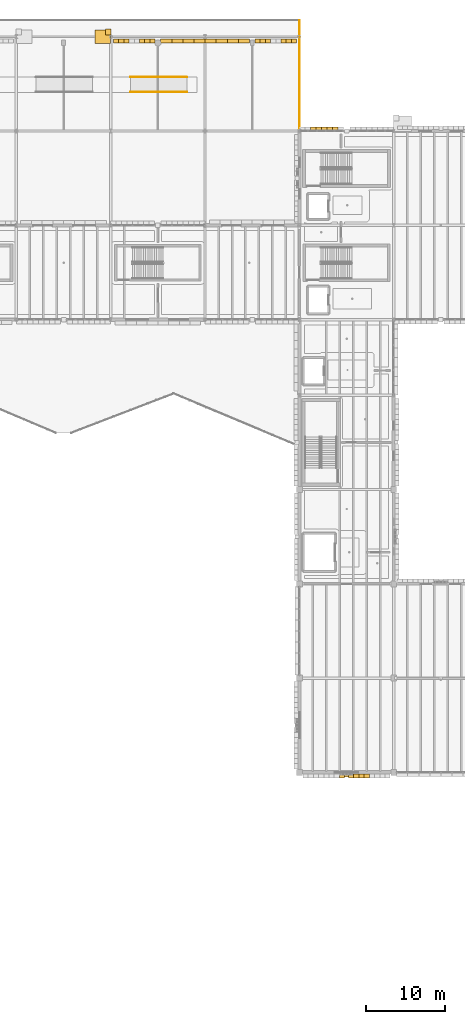
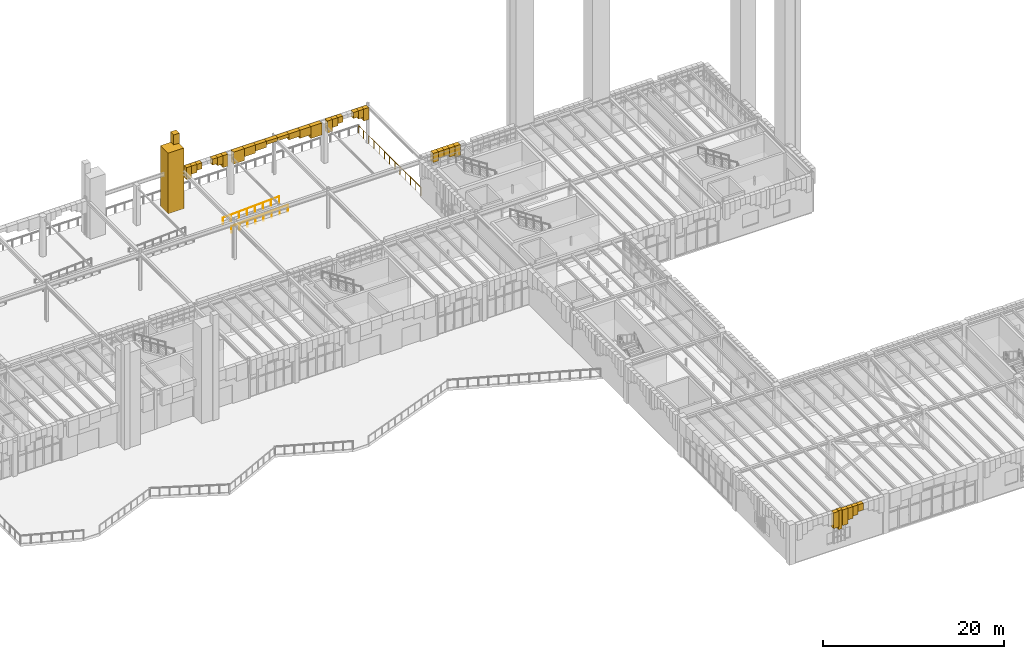
# One storey, part 91 of 103: 33 coverings, 3 railings.
"""IFC4 building model written with IfcOpenShell, lengths in metres."""

from ifc_helpers import new_model, si_unit, direction, frame, origin, origin_2d, place, context, subcontext, project, spatial, polyline, circle, outline, extrude, material, layer, layer_set, type_object, element, save


model = new_model("IFC4")

# Units and contexts
model_context = context("Model", 3, precision=1e-05, world=origin(), true_north=direction((0.0, 1.0)))
body_context = subcontext(model_context, "Body", "Model", "MODEL_VIEW")
ifc_project = project(units=[si_unit("LENGTHUNIT", "METRE"), si_unit("AREAUNIT", "SQUARE_METRE"), si_unit("VOLUMEUNIT", "CUBIC_METRE"), si_unit("PLANEANGLEUNIT", "RADIAN"), si_unit("MASSUNIT", "GRAM", prefix="KILO")], contexts=[model_context])

# Site, building, storey
site_placement = place(None, origin())
site = spatial("IfcSite", under=ifc_project, at=site_placement, CompositionType="ELEMENT")
building_placement = place(site_placement, origin())
building = spatial("IfcBuilding", under=site, at=building_placement, Name="Zlatogorsky Bluff Art Gallery", CompositionType="ELEMENT")
storey_placement = place(building_placement, origin())
storey = spatial("IfcBuildingStorey", under=building, at=storey_placement, Name="L00", CompositionType="ELEMENT", Elevation=0.0)

# Coverings
ifc_material_1 = material(Name="Honed Red Agra-Tone Quartzitic Sandstone", Category="masonry")
ifc_layer_1 = layer(ifc_material_1, 0.1201171875)
ifc_layer_set_1 = layer_set([ifc_layer_1], Name="Carved Sandstone Cladding CLD-02")
covering_type_1 = type_object("IfcCoveringType", Name="Carved Sandstone Cladding CLD-02", PredefinedType="CLADDING", material=ifc_layer_set_1)
covering_1_placement = place(storey_placement, frame((0.0, 0.0, 2.81005859375)))
element("IfcCovering", 1, at=covering_1_placement, inside=storey, type_object=covering_type_1, Name="Mughal blind-arch sandstone pilaster L00.S.10.3", PredefinedType="CLADDING", context=body_context, shape_type="SweptSolid", body=[
    extrude(outline(polyline([(125.760009765625, 25.820068359375), (126.239990234375, 25.820068359375), (126.239990234375, 26.300048828125), (125.760009765625, 26.300048828125), (125.760009765625, 25.820068359375)])), origin(), (0.0, 0.0, 1.0), 2.550048828125),
])
covering_2_placement = place(storey_placement, frame((0.0, 0.0, 3.25244140625)))
element("IfcCovering", 2, at=covering_2_placement, inside=storey, type_object=covering_type_1, Name="Pointed Mughal arch voussoir spandrel WARCH-L00-S-10-03-A.8", PredefinedType="CLADDING", context=body_context, shape_type="SweptSolid", body=[
    extrude(outline(polyline([(125.08740234375, 25.719970703125), (125.75, 25.719970703125), (125.75, 26.2099609375), (125.08740234375, 26.2099609375), (125.08740234375, 25.719970703125)])), origin(), (0.0, 0.0, 1.0), 2.107666015625),
])
covering_3_placement = place(storey_placement, frame((0.0, 0.0, 3.25244140625)))
element("IfcCovering", 3, at=covering_3_placement, inside=storey, type_object=covering_type_1, Name="Pointed Mughal arch voussoir spandrel WARCH-L00-S-10-03-B.1", PredefinedType="CLADDING", context=body_context, shape_type="SweptSolid", body=[
    extrude(outline(polyline([(126.25, 25.719970703125), (126.91259765625, 25.719970703125), (126.91259765625, 26.2099609375), (126.25, 26.2099609375), (126.25, 25.719970703125)])), origin(), (0.0, 0.0, 1.0), 2.107666015625),
])
covering_4_placement = place(storey_placement, frame((0.0, 0.0, 3.78369140625)))
element("IfcCovering", 4, at=covering_4_placement, inside=storey, type_object=covering_type_1, Name="Pointed Mughal arch voussoir spandrel WARCH-L00-S-10-03-B.2", PredefinedType="CLADDING", context=body_context, shape_type="SweptSolid", body=[
    extrude(outline(polyline([(126.91259765625, 25.719970703125), (127.574951171875, 25.719970703125), (127.574951171875, 26.2099609375), (126.91259765625, 26.2099609375), (126.91259765625, 25.719970703125)])), origin(), (0.0, 0.0, 1.0), 1.576416015625),
])
covering_5_placement = place(storey_placement, frame((0.0, 0.0, 4.07666015625)))
element("IfcCovering", 5, at=covering_5_placement, inside=storey, type_object=covering_type_1, Name="Pointed Mughal arch voussoir spandrel WARCH-L00-S-10-03-B.3", PredefinedType="CLADDING", context=body_context, shape_type="SweptSolid", body=[
    extrude(outline(polyline([(127.574951171875, 25.719970703125), (128.237548828125, 25.719970703125), (128.237548828125, 26.2099609375), (127.574951171875, 26.2099609375), (127.574951171875, 25.719970703125)])), origin(), (0.0, 0.0, 1.0), 1.283447265625),
])
covering_6_placement = place(storey_placement, frame((0.0, 0.0, 4.4453125)))
element("IfcCovering", 6, at=covering_6_placement, inside=storey, type_object=covering_type_1, Name="Pointed Mughal arch voussoir spandrel WARCH-L00-S-10-03-B.4", PredefinedType="CLADDING", context=body_context, shape_type="SweptSolid", body=[
    extrude(outline(polyline([(128.237548828125, 25.719970703125), (128.89990234375, 25.719970703125), (128.89990234375, 26.2099609375), (128.237548828125, 26.2099609375), (128.237548828125, 25.719970703125)])), origin(), (0.0, 0.0, 1.0), 0.914794921875),
])
covering_7_placement = place(storey_placement, frame((0.0, 0.0, 4.1064453125)))
element("IfcCovering", 7, at=covering_7_placement, inside=storey, type_object=covering_type_1, Name="Pointed Mughal arch voussoir spandrel ARCH-CW-L00-N-10-09-B.3", PredefinedType="CLADDING", context=body_context, shape_type="SweptSolid", body=[
    extrude(outline(polyline([(121.39501953125, 107.969970703125), (122.092529296875, 107.969970703125), (122.092529296875, 108.5400390625), (121.39501953125, 108.5400390625), (121.39501953125, 107.969970703125)])), origin(), (0.0, 0.0, 1.0), 1.253662109375),
])
covering_8_placement = place(storey_placement, frame((0.0, 0.0, 4.45458984375)))
element("IfcCovering", 8, at=covering_8_placement, inside=storey, type_object=covering_type_1, Name="Pointed Mughal arch voussoir spandrel ARCH-CW-L00-N-10-09-B.4", PredefinedType="CLADDING", context=body_context, shape_type="SweptSolid", body=[
    extrude(outline(polyline([(122.092529296875, 107.969970703125), (122.7900390625, 107.969970703125), (122.7900390625, 108.5400390625), (122.092529296875, 108.5400390625), (122.092529296875, 107.969970703125)])), origin(), (0.0, 0.0, 1.0), 0.905517578125),
])
covering_9_placement = place(storey_placement, frame((0.0, 0.0, 4.45458984375)))
element("IfcCovering", 9, at=covering_9_placement, inside=storey, type_object=covering_type_1, Name="Pointed Mughal arch voussoir spandrel ARCH-CW-L00-N-10-09-B.5", PredefinedType="CLADDING", context=body_context, shape_type="SweptSolid", body=[
    extrude(outline(polyline([(122.7900390625, 107.969970703125), (123.487548828125, 107.969970703125), (123.487548828125, 108.5400390625), (122.7900390625, 108.5400390625), (122.7900390625, 107.969970703125)])), origin(), (0.0, 0.0, 1.0), 0.905517578125),
])
covering_10_placement = place(storey_placement, frame((0.0, 0.0, 4.1064453125)))
element("IfcCovering", 10, at=covering_10_placement, inside=storey, type_object=covering_type_1, Name="Pointed Mughal arch voussoir spandrel ARCH-CW-L00-N-10-09-B.6", PredefinedType="CLADDING", context=body_context, shape_type="SweptSolid", body=[
    extrude(outline(polyline([(123.487548828125, 107.969970703125), (124.18505859375, 107.969970703125), (124.18505859375, 108.5400390625), (123.487548828125, 108.5400390625), (123.487548828125, 107.969970703125)])), origin(), (0.0, 0.0, 1.0), 1.253662109375),
])
covering_11_placement = place(storey_placement, frame((0.0, 0.0, 3.82958984375)))
element("IfcCovering", 11, at=covering_11_placement, inside=storey, type_object=covering_type_1, Name="Pointed Mughal arch voussoir spandrel ARCH-CW-L00-N-10-09-B.7", PredefinedType="CLADDING", context=body_context, shape_type="SweptSolid", body=[
    extrude(outline(polyline([(124.18505859375, 107.969970703125), (124.882568359375, 107.969970703125), (124.882568359375, 108.5400390625), (124.18505859375, 108.5400390625), (124.18505859375, 107.969970703125)])), origin(), (0.0, 0.0, 1.0), 1.530517578125),
])
covering_12_placement = place(storey_placement, origin())
element("IfcCovering", 12, at=covering_12_placement, inside=storey, type_object=covering_type_1, Name="Monumental Pishtaq portal pier PISHTAQ-N-DALAN.R", PredefinedType="CLADDING", context=body_context, shape_type="SweptSolid", body=[
    extrude(outline(polyline([(94.0, 119.159912109375), (96.0, 119.159912109375), (96.0, 120.85009765625), (94.0, 120.85009765625), (94.0, 119.159912109375)])), origin(), (0.0, 0.0, 1.0), 8.199951171875),
])
covering_13_placement = place(storey_placement, frame((0.0, 0.0, 3.780029296875)))
element("IfcCovering", 13, at=covering_13_placement, inside=storey, type_object=covering_type_1, Name="Pointed Mughal arch voussoir spandrel DALAN-FC-04.1", PredefinedType="CLADDING", context=body_context, shape_type="SweptSolid", body=[
    extrude(outline(polyline([(96.35009765625, 119.169921875), (97.012451171875, 119.169921875), (97.012451171875, 119.719970703125), (96.35009765625, 119.719970703125), (96.35009765625, 119.169921875)])), origin(), (0.0, 0.0, 1.0), 1.619873046875),
])
covering_14_placement = place(storey_placement, frame((0.0, 0.0, 4.296630859375)))
element("IfcCovering", 14, at=covering_14_placement, inside=storey, type_object=covering_type_1, Name="Pointed Mughal arch voussoir spandrel DALAN-FC-04.2", PredefinedType="CLADDING", context=body_context, shape_type="SweptSolid", body=[
    extrude(outline(polyline([(97.012451171875, 119.169921875), (97.675048828125, 119.169921875), (97.675048828125, 119.719970703125), (97.012451171875, 119.719970703125), (97.012451171875, 119.169921875)])), origin(), (0.0, 0.0, 1.0), 1.103271484375),
])
covering_15_placement = place(storey_placement, frame((0.0, 0.0, 4.58154296875)))
element("IfcCovering", 15, at=covering_15_placement, inside=storey, type_object=covering_type_1, Name="Pointed Mughal arch voussoir spandrel DALAN-FC-04.3", PredefinedType="CLADDING", context=body_context, shape_type="SweptSolid", body=[
    extrude(outline(polyline([(97.675048828125, 119.169921875), (98.33740234375, 119.169921875), (98.33740234375, 119.719970703125), (97.675048828125, 119.719970703125), (97.675048828125, 119.169921875)])), origin(), (0.0, 0.0, 1.0), 0.818359375),
])
covering_16_placement = place(storey_placement, frame((0.0, 0.0, 4.58154296875)))
element("IfcCovering", 16, at=covering_16_placement, inside=storey, type_object=covering_type_1, Name="Pointed Mughal arch voussoir spandrel DALAN-FC-04.6", PredefinedType="CLADDING", context=body_context, shape_type="SweptSolid", body=[
    extrude(outline(polyline([(99.66259765625, 119.169921875), (100.324951171875, 119.169921875), (100.324951171875, 119.719970703125), (99.66259765625, 119.719970703125), (99.66259765625, 119.169921875)])), origin(), (0.0, 0.0, 1.0), 0.818359375),
])
covering_17_placement = place(storey_placement, frame((0.0, 0.0, 4.296630859375)))
element("IfcCovering", 17, at=covering_17_placement, inside=storey, type_object=covering_type_1, Name="Pointed Mughal arch voussoir spandrel DALAN-FC-04.7", PredefinedType="CLADDING", context=body_context, shape_type="SweptSolid", body=[
    extrude(outline(polyline([(100.324951171875, 119.169921875), (100.987548828125, 119.169921875), (100.987548828125, 119.719970703125), (100.324951171875, 119.719970703125), (100.324951171875, 119.169921875)])), origin(), (0.0, 0.0, 1.0), 1.103271484375),
])
covering_18_placement = place(storey_placement, frame((0.0, 0.0, 3.780029296875)))
element("IfcCovering", 18, at=covering_18_placement, inside=storey, type_object=covering_type_1, Name="Pointed Mughal arch voussoir spandrel DALAN-FC-04.8", PredefinedType="CLADDING", context=body_context, shape_type="SweptSolid", body=[
    extrude(outline(polyline([(100.987548828125, 119.169921875), (101.64990234375, 119.169921875), (101.64990234375, 119.719970703125), (100.987548828125, 119.719970703125), (100.987548828125, 119.169921875)])), origin(), (0.0, 0.0, 1.0), 1.619873046875),
])
covering_19_placement = place(storey_placement, frame((0.0, 0.0, 3.780029296875)))
element("IfcCovering", 19, at=covering_19_placement, inside=storey, type_object=covering_type_1, Name="Pointed Mughal arch voussoir spandrel DALAN-FC-05.1", PredefinedType="CLADDING", context=body_context, shape_type="SweptSolid", body=[
    extrude(outline(polyline([(102.35009765625, 119.169921875), (103.762451171875, 119.169921875), (103.762451171875, 119.719970703125), (102.35009765625, 119.719970703125), (102.35009765625, 119.169921875)])), origin(), (0.0, 0.0, 1.0), 1.619873046875),
])
covering_20_placement = place(storey_placement, frame((0.0, 0.0, 4.296630859375)))
element("IfcCovering", 20, at=covering_20_placement, inside=storey, type_object=covering_type_1, Name="Pointed Mughal arch voussoir spandrel DALAN-FC-05.2", PredefinedType="CLADDING", context=body_context, shape_type="SweptSolid", body=[
    extrude(outline(polyline([(103.762451171875, 119.169921875), (105.175048828125, 119.169921875), (105.175048828125, 119.719970703125), (103.762451171875, 119.719970703125), (103.762451171875, 119.169921875)])), origin(), (0.0, 0.0, 1.0), 1.103271484375),
])
covering_21_placement = place(storey_placement, frame((0.0, 0.0, 4.58154296875)))
element("IfcCovering", 21, at=covering_21_placement, inside=storey, type_object=covering_type_1, Name="Pointed Mughal arch voussoir spandrel DALAN-FC-05.3", PredefinedType="CLADDING", context=body_context, shape_type="SweptSolid", body=[
    extrude(outline(polyline([(105.175048828125, 119.169921875), (106.58740234375, 119.169921875), (106.58740234375, 119.719970703125), (105.175048828125, 119.719970703125), (105.175048828125, 119.169921875)])), origin(), (0.0, 0.0, 1.0), 0.818359375),
])
covering_22_placement = place(storey_placement, frame((0.0, 0.0, 4.93994140625)))
element("IfcCovering", 22, at=covering_22_placement, inside=storey, type_object=covering_type_1, Name="Pointed Mughal arch voussoir spandrel DALAN-FC-05.4", PredefinedType="CLADDING", context=body_context, shape_type="SweptSolid", body=[
    extrude(outline(polyline([(106.58740234375, 119.169921875), (108.0, 119.169921875), (108.0, 119.719970703125), (106.58740234375, 119.719970703125), (106.58740234375, 119.169921875)])), origin(), (0.0, 0.0, 1.0), 0.4599609375),
])
covering_23_placement = place(storey_placement, frame((0.0, 0.0, 4.93994140625)))
element("IfcCovering", 23, at=covering_23_placement, inside=storey, type_object=covering_type_1, Name="Pointed Mughal arch voussoir spandrel DALAN-FC-05.5", PredefinedType="CLADDING", context=body_context, shape_type="SweptSolid", body=[
    extrude(outline(polyline([(108.0, 119.169921875), (109.41259765625, 119.169921875), (109.41259765625, 119.719970703125), (108.0, 119.719970703125), (108.0, 119.169921875)])), origin(), (0.0, 0.0, 1.0), 0.4599609375),
])
covering_24_placement = place(storey_placement, frame((0.0, 0.0, 4.58154296875)))
element("IfcCovering", 24, at=covering_24_placement, inside=storey, type_object=covering_type_1, Name="Pointed Mughal arch voussoir spandrel DALAN-FC-05.6", PredefinedType="CLADDING", context=body_context, shape_type="SweptSolid", body=[
    extrude(outline(polyline([(109.41259765625, 119.169921875), (110.824951171875, 119.169921875), (110.824951171875, 119.719970703125), (109.41259765625, 119.719970703125), (109.41259765625, 119.169921875)])), origin(), (0.0, 0.0, 1.0), 0.818359375),
])
covering_25_placement = place(storey_placement, frame((0.0, 0.0, 4.296630859375)))
element("IfcCovering", 25, at=covering_25_placement, inside=storey, type_object=covering_type_1, Name="Pointed Mughal arch voussoir spandrel DALAN-FC-05.7", PredefinedType="CLADDING", context=body_context, shape_type="SweptSolid", body=[
    extrude(outline(polyline([(110.824951171875, 119.169921875), (112.237548828125, 119.169921875), (112.237548828125, 119.719970703125), (110.824951171875, 119.719970703125), (110.824951171875, 119.169921875)])), origin(), (0.0, 0.0, 1.0), 1.103271484375),
])
covering_26_placement = place(storey_placement, frame((0.0, 0.0, 3.780029296875)))
element("IfcCovering", 26, at=covering_26_placement, inside=storey, type_object=covering_type_1, Name="Pointed Mughal arch voussoir spandrel DALAN-FC-05.8", PredefinedType="CLADDING", context=body_context, shape_type="SweptSolid", body=[
    extrude(outline(polyline([(112.237548828125, 119.169921875), (113.64990234375, 119.169921875), (113.64990234375, 119.719970703125), (112.237548828125, 119.719970703125), (112.237548828125, 119.169921875)])), origin(), (0.0, 0.0, 1.0), 1.619873046875),
])
covering_27_placement = place(storey_placement, frame((0.0, 0.0, 3.780029296875)))
element("IfcCovering", 27, at=covering_27_placement, inside=storey, type_object=covering_type_1, Name="Pointed Mughal arch voussoir spandrel DALAN-FC-06.1", PredefinedType="CLADDING", context=body_context, shape_type="SweptSolid", body=[
    extrude(outline(polyline([(114.35009765625, 119.169921875), (115.012451171875, 119.169921875), (115.012451171875, 119.719970703125), (114.35009765625, 119.719970703125), (114.35009765625, 119.169921875)])), origin(), (0.0, 0.0, 1.0), 1.619873046875),
])
covering_28_placement = place(storey_placement, frame((0.0, 0.0, 4.296630859375)))
element("IfcCovering", 28, at=covering_28_placement, inside=storey, type_object=covering_type_1, Name="Pointed Mughal arch voussoir spandrel DALAN-FC-06.2", PredefinedType="CLADDING", context=body_context, shape_type="SweptSolid", body=[
    extrude(outline(polyline([(115.012451171875, 119.169921875), (115.675048828125, 119.169921875), (115.675048828125, 119.719970703125), (115.012451171875, 119.719970703125), (115.012451171875, 119.169921875)])), origin(), (0.0, 0.0, 1.0), 1.103271484375),
])
covering_29_placement = place(storey_placement, frame((0.0, 0.0, 4.58154296875)))
element("IfcCovering", 29, at=covering_29_placement, inside=storey, type_object=covering_type_1, Name="Pointed Mughal arch voussoir spandrel DALAN-FC-06.3", PredefinedType="CLADDING", context=body_context, shape_type="SweptSolid", body=[
    extrude(outline(polyline([(115.675048828125, 119.169921875), (116.33740234375, 119.169921875), (116.33740234375, 119.719970703125), (115.675048828125, 119.719970703125), (115.675048828125, 119.169921875)])), origin(), (0.0, 0.0, 1.0), 0.818359375),
])
covering_30_placement = place(storey_placement, frame((0.0, 0.0, 4.58154296875)))
element("IfcCovering", 30, at=covering_30_placement, inside=storey, type_object=covering_type_1, Name="Pointed Mughal arch voussoir spandrel DALAN-FC-06.6", PredefinedType="CLADDING", context=body_context, shape_type="SweptSolid", body=[
    extrude(outline(polyline([(117.66259765625, 119.169921875), (118.324951171875, 119.169921875), (118.324951171875, 119.719970703125), (117.66259765625, 119.719970703125), (117.66259765625, 119.169921875)])), origin(), (0.0, 0.0, 1.0), 0.818359375),
])
covering_31_placement = place(storey_placement, frame((0.0, 0.0, 4.296630859375)))
element("IfcCovering", 31, at=covering_31_placement, inside=storey, type_object=covering_type_1, Name="Pointed Mughal arch voussoir spandrel DALAN-FC-06.7", PredefinedType="CLADDING", context=body_context, shape_type="SweptSolid", body=[
    extrude(outline(polyline([(118.324951171875, 119.169921875), (118.987548828125, 119.169921875), (118.987548828125, 119.719970703125), (118.324951171875, 119.719970703125), (118.324951171875, 119.169921875)])), origin(), (0.0, 0.0, 1.0), 1.103271484375),
])
covering_32_placement = place(storey_placement, frame((0.0, 0.0, 3.780029296875)))
element("IfcCovering", 32, at=covering_32_placement, inside=storey, type_object=covering_type_1, Name="Pointed Mughal arch voussoir spandrel DALAN-FC-06.8", PredefinedType="CLADDING", context=body_context, shape_type="SweptSolid", body=[
    extrude(outline(polyline([(118.987548828125, 119.169921875), (119.64990234375, 119.169921875), (119.64990234375, 119.719970703125), (118.987548828125, 119.719970703125), (118.987548828125, 119.169921875)])), origin(), (0.0, 0.0, 1.0), 1.619873046875),
])

# Railings
ifc_material_2 = material(Name="Architectural Bronze and Laminated Glass", Category="glass")
railing_type_1 = type_object("IfcRailingType", Name="Gallery Guard Rail 1100mm", PredefinedType="GUARDRAIL", material=ifc_material_2)
railing_placement = place(storey_placement, frame((120.0, 122.10009765625, 0.0)))
element("IfcRailing", 33, at=railing_placement, inside=storey, type_object=railing_type_1, Name="Upper bluff terrace perimeter balustrade NSK-04", PredefinedType="GUARDRAIL", context=body_context, shape_type="SweptSolid", body=[
    extrude(circle(Radius=0.02392578125, at=origin_2d()), frame((0.0, 0.0, 1.076171875), z_axis=(0.0, -1.0, 0.0), x_axis=(1.0, 0.0, 0.0)), (0.0, 0.0, 1.0), 13.85009765625),
    extrude(circle(Radius=0.02099609375, at=origin_2d()), origin(), (0.0, 0.0, 1.0), 1.052001953125),
    extrude(circle(Radius=0.02099609375, at=origin_2d()), frame((0.0, -1.154296875, 0.0)), (0.0, 0.0, 1.0), 1.052001953125),
    extrude(circle(Radius=0.02099609375, at=origin_2d()), frame((0.0, -2.308349609375, 0.0)), (0.0, 0.0, 1.0), 1.052001953125),
    extrude(circle(Radius=0.02099609375, at=origin_2d()), frame((0.0, -3.46240234375, 0.0)), (0.0, 0.0, 1.0), 1.052001953125),
    extrude(circle(Radius=0.02099609375, at=origin_2d()), frame((0.0, -4.61669921875, 0.0)), (0.0, 0.0, 1.0), 1.052001953125),
    extrude(circle(Radius=0.02099609375, at=origin_2d()), frame((0.0, -5.77099609375, 0.0)), (0.0, 0.0, 1.0), 1.052001953125),
    extrude(circle(Radius=0.02099609375, at=origin_2d()), frame((0.0, -6.925048828125, 0.0)), (0.0, 0.0, 1.0), 1.052001953125),
    extrude(circle(Radius=0.02099609375, at=origin_2d()), frame((0.0, -8.0791015625, 0.0)), (0.0, 0.0, 1.0), 1.052001953125),
    extrude(circle(Radius=0.02099609375, at=origin_2d()), frame((0.0, -9.2333984375, 0.0)), (0.0, 0.0, 1.0), 1.052001953125),
    extrude(circle(Radius=0.02099609375, at=origin_2d()), frame((0.0, -10.3876953125, 0.0)), (0.0, 0.0, 1.0), 1.052001953125),
    extrude(circle(Radius=0.02099609375, at=origin_2d()), frame((0.0, -11.541748046875, 0.0)), (0.0, 0.0, 1.0), 1.052001953125),
    extrude(circle(Radius=0.02099609375, at=origin_2d()), frame((0.0, -12.69580078125, 0.0)), (0.0, 0.0, 1.0), 1.052001953125),
    extrude(circle(Radius=0.02099609375, at=origin_2d()), frame((0.0, -13.85009765625, 0.0)), (0.0, 0.0, 1.0), 1.052001953125),
])
ifc_material_3 = material(Name="Brushed Stainless Steel", Category="steel")
railing_type_2 = type_object("IfcRailingType", Name="Stair Pitch Handrail 900mm", PredefinedType="HANDRAIL", material=ifc_material_3)
for number, where, name in (
    (34, (98.5, 112.949951171875, -0.360107421875), "Ramp RAMP-04 handrail L"),
    (35, (98.5, 114.85009765625, -0.360107421875), "Ramp RAMP-04 handrail R"),
):
    element("IfcRailing", number, at=place(storey_placement, frame(where)), inside=storey, type_object=railing_type_2, Name=name, PredefinedType="HANDRAIL", context=body_context, shape_type="SweptSolid", body=[
        extrude(circle(Radius=0.02392578125, at=origin_2d()), frame((0.0, 0.0, 0.8759765625), z_axis=(0.99875157867, 0.0, 0.049952818777), x_axis=(0.0, 1.0, 0.0)), (0.0, 0.0, 1.0), 7.208984375),
        extrude(circle(Radius=0.02099609375, at=origin_2d()), origin(), (0.0, 0.0, 1.0), 0.851806640625),
        extrude(circle(Radius=0.02099609375, at=origin_2d()), frame((1.028564453125, 0.0, 0.051513671875)), (0.0, 0.0, 1.0), 0.851806640625),
        extrude(circle(Radius=0.02099609375, at=origin_2d()), frame((2.05712890625, 0.0, 0.102783203125)), (0.0, 0.0, 1.0), 0.851806640625),
        extrude(circle(Radius=0.02099609375, at=origin_2d()), frame((3.085693359375, 0.0, 0.154296875)), (0.0, 0.0, 1.0), 0.851806640625),
        extrude(circle(Radius=0.02099609375, at=origin_2d()), frame((4.1142578125, 0.0, 0.205810546875)), (0.0, 0.0, 1.0), 0.851806640625),
        extrude(circle(Radius=0.02099609375, at=origin_2d()), frame((5.142822265625, 0.0, 0.25732421875)), (0.0, 0.0, 1.0), 0.851806640625),
        extrude(circle(Radius=0.02099609375, at=origin_2d()), frame((6.17138671875, 0.0, 0.30859375)), (0.0, 0.0, 1.0), 0.851806640625),
        extrude(circle(Radius=0.02099609375, at=origin_2d()), frame((7.199951171875, 0.0, 0.360107421875)), (0.0, 0.0, 1.0), 0.851806640625),
    ])

# Covering
ifc_material_4 = material(Name="Patinated Architectural Bronze Fin", Category="metal")
ifc_layer_2 = layer(ifc_material_4, 0.110107421875)
ifc_layer_set_2 = layer_set([ifc_layer_2], Name="Vertical Gallery Fin FIN-01")
covering_type_2 = type_object("IfcCoveringType", Name="Vertical Gallery Fin FIN-01", PredefinedType="CLADDING", material=ifc_layer_set_2)
covering_33_placement = place(storey_placement, origin())
element("IfcCovering", 36, at=covering_33_placement, inside=storey, type_object=covering_type_2, Name="Pishtaq corner guldasta turret PISHTAQ-N-DALAN.R", PredefinedType="CLADDING", context=body_context, shape_type="SweptSolid", body=[
    extrude(outline(polyline([(95.320068359375, 120.239990234375), (96.0400390625, 120.239990234375), (96.0400390625, 120.9599609375), (95.320068359375, 120.9599609375), (95.320068359375, 120.239990234375)])), origin(), (0.0, 0.0, 1.0), 9.550048828125),
])

save(model, "model.ifc")
